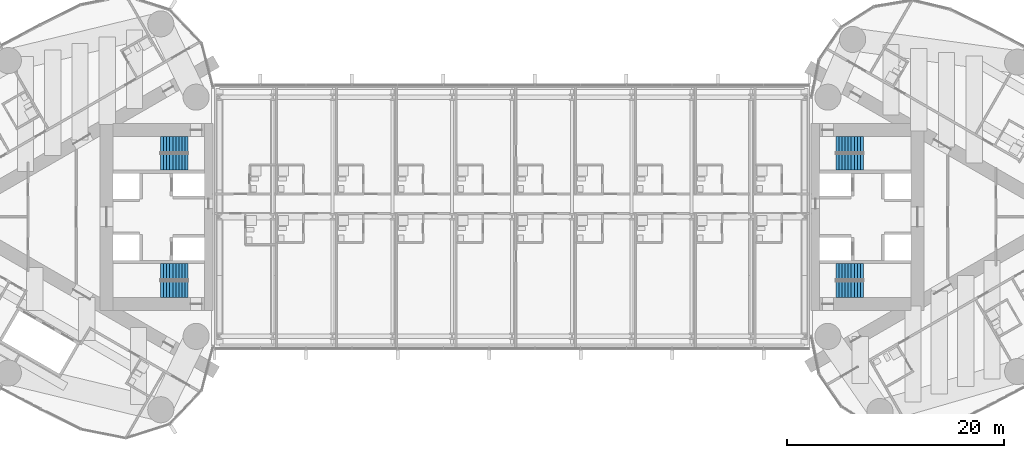
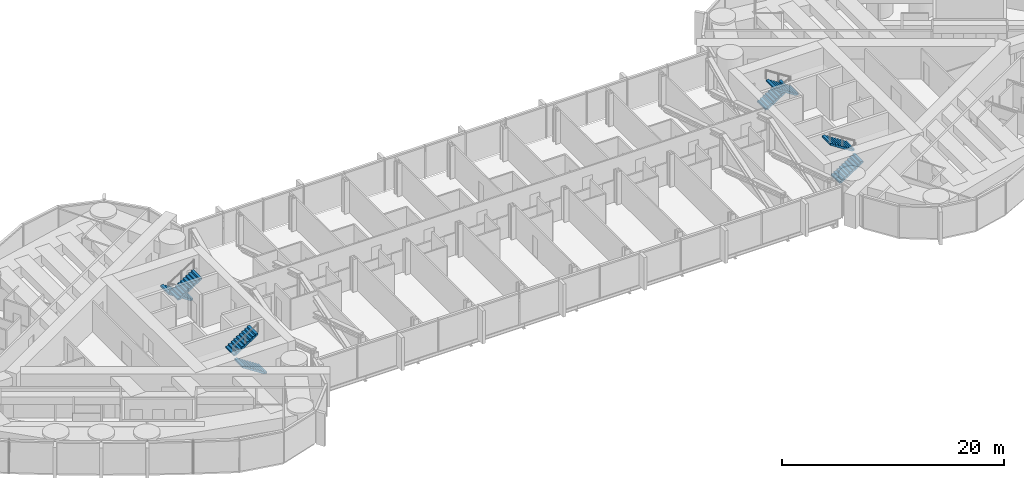
# One storey, part 21 of 23: 8 stair flights, 4 elements without a shape of their own.
"""IFC4 building model written with IfcOpenShell, lengths in metres."""

from ifc_helpers import new_model, si_unit, direction, frame, origin, place, context, subcontext, project, spatial, polyline, outline, extrude, material, type_object, element, aggregate, save


model = new_model("IFC4")

# Units and contexts
model_context = context("Model", 3, precision=1e-05, world=origin(), true_north=direction((0.0, 1.0)))
body_context = subcontext(model_context, "Body", "Model", "MODEL_VIEW")
ifc_project = project(units=[si_unit("LENGTHUNIT", "METRE"), si_unit("AREAUNIT", "SQUARE_METRE"), si_unit("VOLUMEUNIT", "CUBIC_METRE"), si_unit("PLANEANGLEUNIT", "RADIAN"), si_unit("MASSUNIT", "GRAM", prefix="KILO")], contexts=[model_context])

# Site, building, storey
site_placement = place(None, origin())
site = spatial("IfcSite", under=ifc_project, at=site_placement, CompositionType="ELEMENT")
building_placement = place(site_placement, origin())
building = spatial("IfcBuilding", under=site, at=building_placement, Name="Lancet Gate Hotel", CompositionType="ELEMENT")
storey_placement = place(building_placement, frame((0.0, 0.0, 222.5)))
storey = spatial("IfcBuildingStorey", under=building, at=storey_placement, Name="L59", CompositionType="ELEMENT", Elevation=222.5)

# Stair, stair flights
ifc_material_1 = material(Name="Exit stair 20 risers 1500")
stair_type = type_object("IfcStairType", Name="Exit stair 20 risers 1500", PredefinedType="HALF_TURN_STAIR", material=ifc_material_1)
stair_1_placement = place(storey_placement, origin())
stair_1 = element("IfcStair", 1, at=stair_1_placement, inside=storey, type_object=stair_type, Name="T1 stair 1 L59", PredefinedType="HALF_TURN_STAIR")
ifc_material_2 = material(Name="Stair flight 10 risers 180 rise 1500")
stair_flight_type = type_object("IfcStairFlightType", Name="Stair flight 10 risers 180 rise 1500", PredefinedType="STRAIGHT", material=ifc_material_2)
stair_flight_1_placement = place(storey_placement, frame((-29.800048828125, 6.64990234375, 0.0), z_axis=(0.0, 0.0, 1.0), x_axis=(-1.0, 0.0, 0.0)))
stair_flight_1 = element("IfcStairFlight", 2, at=stair_flight_1_placement, type_object=stair_flight_type, Name="ST1 flight 1", NumberOfRisers=10, NumberOfTreads=9, PredefinedType="STRAIGHT", RiserHeight=0.18, TreadLength=0.28, context=body_context, shape_type="SweptSolid", body=[
    extrude(outline(polyline([(0.0, 0.0), (0.0, 0.179931640625), (0.280029296875, 0.179931640625), (0.280029296875, 0.360107421875), (0.56005859375, 0.360107421875), (0.56005859375, 0.5400390625), (0.840087890625, 0.5400390625), (0.840087890625, 0.719970703125), (1.1201171875, 0.719970703125), (1.1201171875, 0.89990234375), (1.39990234375, 0.89990234375), (1.39990234375, 1.080078125), (1.679931640625, 1.080078125), (1.679931640625, 1.260009765625), (1.9599609375, 1.260009765625), (1.9599609375, 1.43994140625), (2.239990234375, 1.43994140625), (2.239990234375, 1.6201171875), (2.52001953125, 1.6201171875), (2.52001953125, 1.800048828125), (2.52001953125, 1.44189453125), (0.277099609375, 0.0), (0.0, 0.0)])), frame((0.0, 0.75, 0.0), z_axis=(0.0, -1.0, 0.0), x_axis=(1.0, 0.0, 0.0)), (0.0, 0.0, 1.0), 1.5),
])
stair_flight_2_placement = place(storey_placement, frame((-32.320068359375, 5.050048828125, 1.800048828125), z_axis=(0.0, 0.0, 1.0), x_axis=(1.0, 0.0, 0.0)))
stair_flight_2 = element("IfcStairFlight", 3, at=stair_flight_2_placement, type_object=stair_flight_type, Name="ST1 flight 2", NumberOfRisers=10, NumberOfTreads=9, PredefinedType="STRAIGHT", RiserHeight=0.18, TreadLength=0.28, context=body_context, shape_type="SweptSolid", body=[
    extrude(outline(polyline([(0.0, 0.0), (0.0, 0.179931640625), (0.280029296875, 0.179931640625), (0.280029296875, 0.360107421875), (0.56005859375, 0.360107421875), (0.56005859375, 0.5400390625), (0.840087890625, 0.5400390625), (0.840087890625, 0.719970703125), (1.1201171875, 0.719970703125), (1.1201171875, 0.89990234375), (1.39990234375, 0.89990234375), (1.39990234375, 1.080078125), (1.679931640625, 1.080078125), (1.679931640625, 1.260009765625), (1.9599609375, 1.260009765625), (1.9599609375, 1.43994140625), (2.239990234375, 1.43994140625), (2.239990234375, 1.6201171875), (2.52001953125, 1.6201171875), (2.52001953125, 1.800048828125), (2.52001953125, 1.44189453125), (0.277099609375, 0.0), (0.0, 0.0)])), frame((0.0, 0.75, 0.0), z_axis=(0.0, -1.0, 0.0), x_axis=(1.0, 0.0, 0.0)), (0.0, 0.0, 1.0), 1.5),
])
aggregate(stair_1, [stair_flight_1, stair_flight_2])

stair_2_placement = place(storey_placement, origin())
stair_2 = element("IfcStair", 4, at=stair_2_placement, inside=storey, type_object=stair_type, Name="T1 stair 2 L59", PredefinedType="HALF_TURN_STAIR")
stair_flight_3_placement = place(storey_placement, frame((-29.800048828125, -6.64990234375, 0.0), z_axis=(0.0, 0.0, 1.0), x_axis=(-1.0, 0.0, 0.0)))
stair_flight_3 = element("IfcStairFlight", 5, at=stair_flight_3_placement, type_object=stair_flight_type, Name="ST2 flight 1", NumberOfRisers=10, NumberOfTreads=9, PredefinedType="STRAIGHT", RiserHeight=0.18, TreadLength=0.28, context=body_context, shape_type="SweptSolid", body=[
    extrude(outline(polyline([(0.0, 0.0), (0.0, 0.179931640625), (0.280029296875, 0.179931640625), (0.280029296875, 0.360107421875), (0.56005859375, 0.360107421875), (0.56005859375, 0.5400390625), (0.840087890625, 0.5400390625), (0.840087890625, 0.719970703125), (1.1201171875, 0.719970703125), (1.1201171875, 0.89990234375), (1.39990234375, 0.89990234375), (1.39990234375, 1.080078125), (1.679931640625, 1.080078125), (1.679931640625, 1.260009765625), (1.9599609375, 1.260009765625), (1.9599609375, 1.43994140625), (2.239990234375, 1.43994140625), (2.239990234375, 1.6201171875), (2.52001953125, 1.6201171875), (2.52001953125, 1.800048828125), (2.52001953125, 1.44189453125), (0.277099609375, 0.0), (0.0, 0.0)])), frame((0.0, 0.75, 0.0), z_axis=(0.0, -1.0, 0.0), x_axis=(1.0, 0.0, 0.0)), (0.0, 0.0, 1.0), 1.5),
])
stair_flight_4_placement = place(storey_placement, frame((-32.320068359375, -5.050048828125, 1.800048828125), z_axis=(0.0, 0.0, 1.0), x_axis=(1.0, 0.0, 0.0)))
stair_flight_4 = element("IfcStairFlight", 6, at=stair_flight_4_placement, type_object=stair_flight_type, Name="ST2 flight 2", NumberOfRisers=10, NumberOfTreads=9, PredefinedType="STRAIGHT", RiserHeight=0.18, TreadLength=0.28, context=body_context, shape_type="SweptSolid", body=[
    extrude(outline(polyline([(0.0, 0.0), (0.0, 0.179931640625), (0.280029296875, 0.179931640625), (0.280029296875, 0.360107421875), (0.56005859375, 0.360107421875), (0.56005859375, 0.5400390625), (0.840087890625, 0.5400390625), (0.840087890625, 0.719970703125), (1.1201171875, 0.719970703125), (1.1201171875, 0.89990234375), (1.39990234375, 0.89990234375), (1.39990234375, 1.080078125), (1.679931640625, 1.080078125), (1.679931640625, 1.260009765625), (1.9599609375, 1.260009765625), (1.9599609375, 1.43994140625), (2.239990234375, 1.43994140625), (2.239990234375, 1.6201171875), (2.52001953125, 1.6201171875), (2.52001953125, 1.800048828125), (2.52001953125, 1.44189453125), (0.277099609375, 0.0), (0.0, 0.0)])), frame((0.0, 0.75, 0.0), z_axis=(0.0, -1.0, 0.0), x_axis=(1.0, 0.0, 0.0)), (0.0, 0.0, 1.0), 1.5),
])
aggregate(stair_2, [stair_flight_3, stair_flight_4])

stair_3_placement = place(storey_placement, origin())
stair_3 = element("IfcStair", 7, at=stair_3_placement, inside=storey, type_object=stair_type, Name="T2 stair 1 L59", PredefinedType="HALF_TURN_STAIR")
stair_flight_5_placement = place(storey_placement, frame((29.800048828125, -6.64990234375, 0.0), z_axis=(0.0, 0.0, 1.0), x_axis=(1.0, 0.0, 0.0)))
stair_flight_5 = element("IfcStairFlight", 8, at=stair_flight_5_placement, type_object=stair_flight_type, Name="ST3 flight 1", NumberOfRisers=10, NumberOfTreads=9, PredefinedType="STRAIGHT", RiserHeight=0.18, TreadLength=0.28, context=body_context, shape_type="SweptSolid", body=[
    extrude(outline(polyline([(0.0, 0.0), (0.0, 0.179931640625), (0.280029296875, 0.179931640625), (0.280029296875, 0.360107421875), (0.56005859375, 0.360107421875), (0.56005859375, 0.5400390625), (0.840087890625, 0.5400390625), (0.840087890625, 0.719970703125), (1.1201171875, 0.719970703125), (1.1201171875, 0.89990234375), (1.39990234375, 0.89990234375), (1.39990234375, 1.080078125), (1.679931640625, 1.080078125), (1.679931640625, 1.260009765625), (1.9599609375, 1.260009765625), (1.9599609375, 1.43994140625), (2.239990234375, 1.43994140625), (2.239990234375, 1.6201171875), (2.52001953125, 1.6201171875), (2.52001953125, 1.800048828125), (2.52001953125, 1.44189453125), (0.277099609375, 0.0), (0.0, 0.0)])), frame((0.0, 0.75, 0.0), z_axis=(0.0, -1.0, 0.0), x_axis=(1.0, 0.0, 0.0)), (0.0, 0.0, 1.0), 1.5),
])
stair_flight_6_placement = place(storey_placement, frame((32.320068359375, -5.050048828125, 1.800048828125), z_axis=(0.0, 0.0, 1.0), x_axis=(-1.0, 0.0, 0.0)))
stair_flight_6 = element("IfcStairFlight", 9, at=stair_flight_6_placement, type_object=stair_flight_type, Name="ST3 flight 2", NumberOfRisers=10, NumberOfTreads=9, PredefinedType="STRAIGHT", RiserHeight=0.18, TreadLength=0.28, context=body_context, shape_type="SweptSolid", body=[
    extrude(outline(polyline([(0.0, 0.0), (0.0, 0.179931640625), (0.280029296875, 0.179931640625), (0.280029296875, 0.360107421875), (0.56005859375, 0.360107421875), (0.56005859375, 0.5400390625), (0.840087890625, 0.5400390625), (0.840087890625, 0.719970703125), (1.1201171875, 0.719970703125), (1.1201171875, 0.89990234375), (1.39990234375, 0.89990234375), (1.39990234375, 1.080078125), (1.679931640625, 1.080078125), (1.679931640625, 1.260009765625), (1.9599609375, 1.260009765625), (1.9599609375, 1.43994140625), (2.239990234375, 1.43994140625), (2.239990234375, 1.6201171875), (2.52001953125, 1.6201171875), (2.52001953125, 1.800048828125), (2.52001953125, 1.44189453125), (0.277099609375, 0.0), (0.0, 0.0)])), frame((0.0, 0.75, 0.0), z_axis=(0.0, -1.0, 0.0), x_axis=(1.0, 0.0, 0.0)), (0.0, 0.0, 1.0), 1.5),
])
aggregate(stair_3, [stair_flight_5, stair_flight_6])

stair_4_placement = place(storey_placement, origin())
stair_4 = element("IfcStair", 10, at=stair_4_placement, inside=storey, type_object=stair_type, Name="T2 stair 2 L59", PredefinedType="HALF_TURN_STAIR")
stair_flight_7_placement = place(storey_placement, frame((29.800048828125, 6.64990234375, 0.0), z_axis=(0.0, 0.0, 1.0), x_axis=(1.0, 0.0, 0.0)))
stair_flight_7 = element("IfcStairFlight", 11, at=stair_flight_7_placement, type_object=stair_flight_type, Name="ST4 flight 1", NumberOfRisers=10, NumberOfTreads=9, PredefinedType="STRAIGHT", RiserHeight=0.18, TreadLength=0.28, context=body_context, shape_type="SweptSolid", body=[
    extrude(outline(polyline([(0.0, 0.0), (0.0, 0.179931640625), (0.280029296875, 0.179931640625), (0.280029296875, 0.360107421875), (0.56005859375, 0.360107421875), (0.56005859375, 0.5400390625), (0.840087890625, 0.5400390625), (0.840087890625, 0.719970703125), (1.1201171875, 0.719970703125), (1.1201171875, 0.89990234375), (1.39990234375, 0.89990234375), (1.39990234375, 1.080078125), (1.679931640625, 1.080078125), (1.679931640625, 1.260009765625), (1.9599609375, 1.260009765625), (1.9599609375, 1.43994140625), (2.239990234375, 1.43994140625), (2.239990234375, 1.6201171875), (2.52001953125, 1.6201171875), (2.52001953125, 1.800048828125), (2.52001953125, 1.44189453125), (0.277099609375, 0.0), (0.0, 0.0)])), frame((0.0, 0.75, 0.0), z_axis=(0.0, -1.0, 0.0), x_axis=(1.0, 0.0, 0.0)), (0.0, 0.0, 1.0), 1.5),
])
stair_flight_8_placement = place(storey_placement, frame((32.320068359375, 5.050048828125, 1.800048828125), z_axis=(0.0, 0.0, 1.0), x_axis=(-1.0, 0.0, 0.0)))
stair_flight_8 = element("IfcStairFlight", 12, at=stair_flight_8_placement, type_object=stair_flight_type, Name="ST4 flight 2", NumberOfRisers=10, NumberOfTreads=9, PredefinedType="STRAIGHT", RiserHeight=0.18, TreadLength=0.28, context=body_context, shape_type="SweptSolid", body=[
    extrude(outline(polyline([(0.0, 0.0), (0.0, 0.179931640625), (0.280029296875, 0.179931640625), (0.280029296875, 0.360107421875), (0.56005859375, 0.360107421875), (0.56005859375, 0.5400390625), (0.840087890625, 0.5400390625), (0.840087890625, 0.719970703125), (1.1201171875, 0.719970703125), (1.1201171875, 0.89990234375), (1.39990234375, 0.89990234375), (1.39990234375, 1.080078125), (1.679931640625, 1.080078125), (1.679931640625, 1.260009765625), (1.9599609375, 1.260009765625), (1.9599609375, 1.43994140625), (2.239990234375, 1.43994140625), (2.239990234375, 1.6201171875), (2.52001953125, 1.6201171875), (2.52001953125, 1.800048828125), (2.52001953125, 1.44189453125), (0.277099609375, 0.0), (0.0, 0.0)])), frame((0.0, 0.75, 0.0), z_axis=(0.0, -1.0, 0.0), x_axis=(1.0, 0.0, 0.0)), (0.0, 0.0, 1.0), 1.5),
])
aggregate(stair_4, [stair_flight_7, stair_flight_8])

save(model, "model.ifc")
